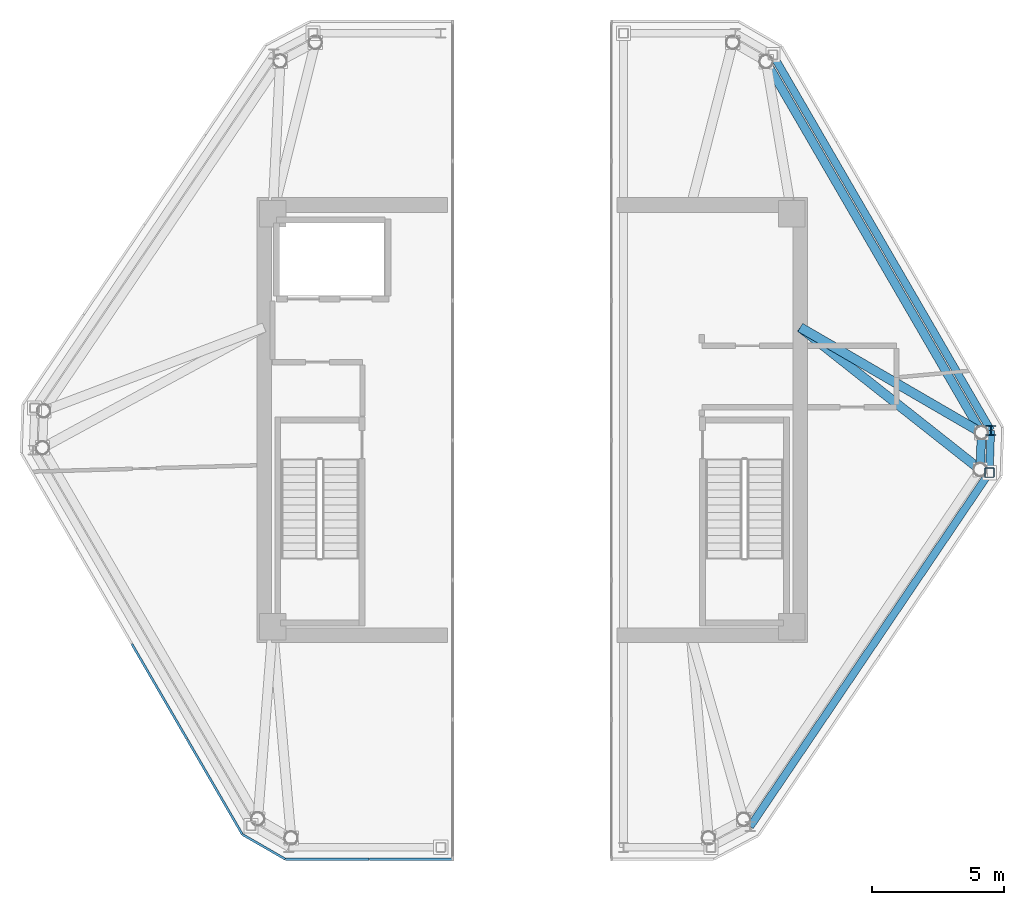
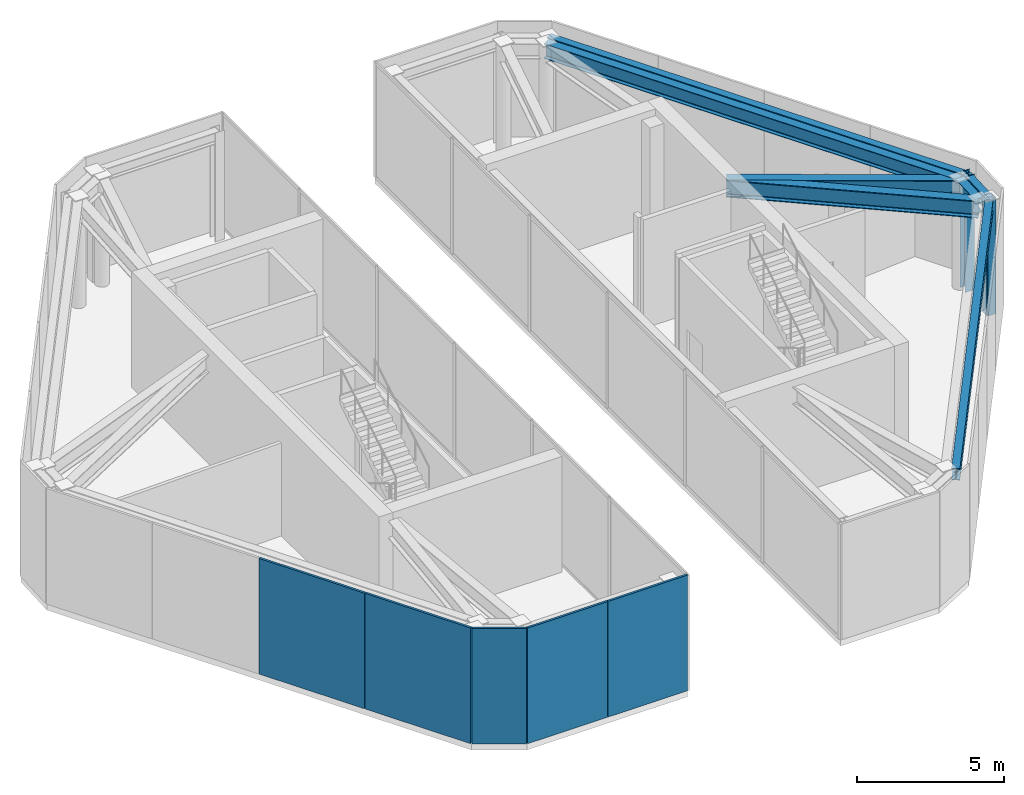
# One storey, part 5 of 8: 7 beams, 5 plates, 2 members.
"""IFC4 building model written with IfcOpenShell, lengths in metres."""

import ifcopenshell
import ifcopenshell.guid

model = None  # the IFC model being written
_history = None  # IfcOwnerHistory: only IFC2X3 demands one
_inside = {}  # id of a spatial element -> (the spatial element, [elements in it])
_under = {}  # id of a project, library or spatial element -> (it, [spatial elements below it])
_declared = {}  # id of a project -> (the project, [libraries it declares])
_typed = {}  # id of a type object -> (the type object, [elements of that type])
_made_of = {}  # id of a material, layer set ... -> (it, [elements and type objects made of it])


def new_model(schema):
    """Start an empty IFC model of exactly this schema.

    Asked for "IFC4X3", IfcOpenShell would pick the latest addendum, in which some entities
    have other attributes; the version numbers below select the first issue.
    IFC2X3 requires an IfcOwnerHistory on every rooted entity: one is made here for all.
    """
    global model, _history
    if schema == "IFC4X3":
        model = ifcopenshell.file(schema_version=(4, 3, 0, 0))
    else:
        model = ifcopenshell.file(schema=schema)
    _inside.clear()
    _under.clear()
    _declared.clear()
    _typed.clear()
    _made_of.clear()
    _history = None
    if model.schema == "IFC2X3":
        org = make("IfcOrganization", Name="unknown")
        user = make(
            "IfcPersonAndOrganization",
            ThePerson=make("IfcPerson", FamilyName="unknown"),
            TheOrganization=org,
        )
        app = make(
            "IfcApplication",
            ApplicationDeveloper=org,
            Version="unknown",
            ApplicationFullName="unknown",
            ApplicationIdentifier="unknown",
        )
        _history = make(
            "IfcOwnerHistory",
            OwningUser=user,
            OwningApplication=app,
            ChangeAction="ADDED",
            CreationDate=0,
        )
    return model


def make(cls, **values):
    """One entity of the class cls with the attributes given. An attribute that is None is left unset."""
    return model.create_entity(
        cls, **{name: value for name, value in values.items() if value is not None}
    )


def rooted(cls, **values):
    """An entity with a GlobalId (a new one), such as an element, a storey or a relation."""
    return make(cls, GlobalId=ifcopenshell.guid.new(), OwnerHistory=_history, **values)


def si_unit(unit_type, name, prefix=None):
    """IfcSIUnit, for example si_unit("LENGTHUNIT", "METRE", prefix="MILLI")."""
    return make("IfcSIUnit", UnitType=unit_type, Prefix=prefix, Name=name)


def assignment(units):
    """IfcUnitAssignment: the units of a project."""
    return None if units is None else make("IfcUnitAssignment", Units=units)


def point(xyz):
    """IfcCartesianPoint."""
    return None if xyz is None else make("IfcCartesianPoint", Coordinates=xyz)


def direction(xyz):
    """IfcDirection."""
    return None if xyz is None else make("IfcDirection", DirectionRatios=xyz)


def frame(location, z_axis=None, x_axis=None):
    """IfcAxis2Placement3D, a coordinate frame: its origin and axes. An axis left out is left unset."""
    return make(
        "IfcAxis2Placement3D",
        Location=point(location),
        Axis=direction(z_axis),
        RefDirection=direction(x_axis),
    )


def frame_2d(location, x_axis=None):
    """IfcAxis2Placement2D, a coordinate frame in the plane: its origin and x axis."""
    return make(
        "IfcAxis2Placement2D", Location=point(location), RefDirection=direction(x_axis)
    )


def origin():
    """The frame at (0, 0, 0) with its axes left unset."""
    return frame((0.0, 0.0, 0.0))


def origin_2d():
    """The frame at (0, 0) in the plane with its x axis left unset."""
    return frame_2d((0.0, 0.0))


def place(relative_to, where):
    """IfcLocalPlacement: puts the frame where relative to a parent placement (None: the world)."""
    return make(
        "IfcLocalPlacement", PlacementRelTo=relative_to, RelativePlacement=where
    )


def context(
    kind, dimensions, precision=None, world=None, true_north=None, identifier=None
):
    """IfcGeometricRepresentationContext, for example the 3D "Model" context."""
    return make(
        "IfcGeometricRepresentationContext",
        ContextIdentifier=identifier,
        ContextType=kind,
        CoordinateSpaceDimension=dimensions,
        Precision=precision,
        WorldCoordinateSystem=world,
        TrueNorth=true_north,
    )


def subcontext(parent, identifier, kind, view, scale=None):
    """IfcGeometricRepresentationSubContext, for example "Body" below "Model"."""
    return make(
        "IfcGeometricRepresentationSubContext",
        ContextIdentifier=identifier,
        ContextType=kind,
        ParentContext=parent,
        TargetScale=scale,
        TargetView=view,
    )


def project(units=None, contexts=None):
    """IfcProject with its units and contexts."""
    return rooted(
        "IfcProject",
        Name="project",
        RepresentationContexts=contexts,
        UnitsInContext=assignment(units),
    )


def spatial(cls, under=None, at=None, **own):
    """A site, building, storey or space (cls), placed at a placement, below another one or the project."""
    s = rooted(cls, ObjectPlacement=at, **own)
    if under is not None:
        _under.setdefault(under.id(), (under, []))[1].append(s)
    return s


def profile(cls, at=None, kind="AREA", **sizes):
    """A parametric profile (cls). Its sizes go by their IFC names, for example OverallWidth=200.0."""
    return make(cls, ProfileType=kind, Position=at, **sizes)


def rectangle(**sizes):
    """IfcRectangleProfileDef."""
    return profile("IfcRectangleProfileDef", **sizes)


def hollow_rectangle(**sizes):
    """IfcRectangleHollowProfileDef."""
    return profile("IfcRectangleHollowProfileDef", **sizes)


def i_section(**sizes):
    """IfcIShapeProfileDef."""
    return profile("IfcIShapeProfileDef", **sizes)


def extrude(swept, where, along, depth):
    """IfcExtrudedAreaSolid: the profile swept, set in the frame where, extruded along a direction by depth."""
    return make(
        "IfcExtrudedAreaSolid",
        SweptArea=swept,
        Position=where,
        ExtrudedDirection=direction(along),
        Depth=depth,
    )


def shape(context_of_items, identifier, shape_type, items):
    """IfcShapeRepresentation: the items that make up one representation, for example the "Body"."""
    return make(
        "IfcShapeRepresentation",
        ContextOfItems=context_of_items,
        RepresentationIdentifier=identifier,
        RepresentationType=shape_type,
        Items=items,
    )


def source(mapping_origin, context_of_items, identifier, shape_type, items):
    """IfcRepresentationMap: a shape defined once, which mapped items show again and again."""
    return make(
        "IfcRepresentationMap",
        MappingOrigin=mapping_origin,
        MappedRepresentation=shape(context_of_items, identifier, shape_type, items),
    )


def transform(
    local_origin,
    x_axis=None,
    y_axis=None,
    z_axis=None,
    scale=None,
    scale2=None,
    scale3=None,
    uniform=True,
):
    """IfcCartesianTransformationOperator3D, or its non-uniform kind. x_axis, y_axis, z_axis: its Axis1, 2, 3."""
    if uniform:
        return make(
            "IfcCartesianTransformationOperator3D",
            Axis1=direction(x_axis),
            Axis2=direction(y_axis),
            LocalOrigin=point(local_origin),
            Scale=scale,
            Axis3=direction(z_axis),
        )
    return make(
        "IfcCartesianTransformationOperator3DnonUniform",
        Axis1=direction(x_axis),
        Axis2=direction(y_axis),
        LocalOrigin=point(local_origin),
        Scale=scale,
        Axis3=direction(z_axis),
        Scale2=scale2,
        Scale3=scale3,
    )


def mapped(mapping_source, mapping_target):
    """IfcMappedItem: shows the shape of a source again, moved by a transform."""
    return make(
        "IfcMappedItem", MappingSource=mapping_source, MappingTarget=mapping_target
    )


def material(Name=None, Category=None):
    """IfcMaterial."""
    return make("IfcMaterial", Name=Name, Category=Category)


def layer(
    of_material, thickness, ventilated=None, Name=None, Category=None, Priority=None
):
    """IfcMaterialLayer: one layer of a wall or slab, of a material (None: an air gap)."""
    return make(
        "IfcMaterialLayer",
        Material=of_material,
        LayerThickness=thickness,
        IsVentilated=ventilated,
        Name=Name,
        Category=Category,
        Priority=Priority,
    )


def layer_set(layers, Name=None):
    """IfcMaterialLayerSet."""
    return make("IfcMaterialLayerSet", MaterialLayers=layers, LayerSetName=Name)


def material_profile(
    of_material, cross_section, Name=None, Category=None, Priority=None
):
    """IfcMaterialProfile: a cross section and its material."""
    return make(
        "IfcMaterialProfile",
        Name=Name,
        Material=of_material,
        Profile=cross_section,
        Priority=Priority,
        Category=Category,
    )


def profile_set(profiles, Name=None, composite=None):
    """IfcMaterialProfileSet."""
    return make(
        "IfcMaterialProfileSet",
        Name=Name,
        MaterialProfiles=profiles,
        CompositeProfile=composite,
    )


def made_of(thing, what):
    """Note that an element or type object is made of a material, layer set ...; save() writes the relation."""
    if what is not None:
        _made_of.setdefault(what.id(), (what, []))[1].append(thing)
    return thing


def type_object(cls, material=None, **own):
    """A type object (cls), such as IfcWallType, which elements share."""
    return made_of(rooted(cls, **own), material)


def type_shapes(of_type, sources):
    """Give a type object the sources (RepresentationMaps) that its elements show as mapped items."""
    of_type.RepresentationMaps = sources


def element(
    cls,
    number,
    at=None,
    inside=None,
    cuts=None,
    type_object=None,
    material=None,
    context=None,
    identifier="Body",
    shape_type=None,
    held_by="IfcProductDefinitionShape",
    body=None,
    shapes=None,
    **own,
):
    """One element of the class cls, such as IfcWall. Its Tag is "e" and its number.

    at: its placement. inside: the storey or other place that contains it. cuts: it is an
    opening in that element (IfcRelVoidsElement). A single representation is given by context,
    identifier, shape_type and body (its items); several are given by shapes. held_by: the class
    of the entity that holds the representations. save() writes the other relations.
    """
    e = rooted(cls, Tag="e%d" % number, ObjectPlacement=at, **own)
    if body is not None:
        shapes = [shape(context, identifier, shape_type, body)]
    if shapes is not None:
        e.Representation = make(held_by, Representations=shapes)
    if inside is not None:
        _inside.setdefault(inside.id(), (inside, []))[1].append(e)
    if cuts is not None:
        rooted(
            "IfcRelVoidsElement", RelatingBuildingElement=cuts, RelatedOpeningElement=e
        )
    if type_object is not None:
        _typed.setdefault(type_object.id(), (type_object, []))[1].append(e)
    return made_of(e, material)


def aggregate(whole, parts):
    """IfcRelAggregates: a whole, such as a stair, and the parts it consists of."""
    return rooted("IfcRelAggregates", RelatingObject=whole, RelatedObjects=parts)


def save(model, path):
    """Write the relations noted so far, then the file.

    IfcRelAggregates (storeys below a building ...), IfcRelContainedInSpatialStructure (elements
    in a storey), IfcRelDefinesByType, IfcRelAssociatesMaterial and IfcRelDeclares: one each for
    every whole, place, type object, material and project.
    """
    for whole, parts in _under.values():
        aggregate(whole, parts)
    for where, things in _inside.values():
        rooted(
            "IfcRelContainedInSpatialStructure",
            RelatedElements=things,
            RelatingStructure=where,
        )
    for kind, things in _typed.values():
        rooted("IfcRelDefinesByType", RelatedObjects=things, RelatingType=kind)
    for what, things in _made_of.values():
        rooted("IfcRelAssociatesMaterial", RelatedObjects=things, RelatingMaterial=what)
    for by, libraries in _declared.values():
        rooted("IfcRelDeclares", RelatingContext=by, RelatedDefinitions=libraries)
    model.write(path)


model = new_model("IFC4")

# Units and contexts
model_context = context("Model", 3, precision=1e-05, world=origin(), true_north=direction((0.0, 1.0)))
body_context = subcontext(model_context, "Body", "Model", "MODEL_VIEW")
ifc_project = project(units=[si_unit("LENGTHUNIT", "METRE"), si_unit("AREAUNIT", "SQUARE_METRE"), si_unit("VOLUMEUNIT", "CUBIC_METRE"), si_unit("PLANEANGLEUNIT", "RADIAN"), si_unit("MASSUNIT", "GRAM", prefix="KILO")], contexts=[model_context])

# Site, building, storey
site_placement = place(None, origin())
site = spatial("IfcSite", under=ifc_project, at=site_placement, CompositionType="ELEMENT")
building_placement = place(site_placement, origin())
building = spatial("IfcBuilding", under=site, at=building_placement, Name="Durnholm Broadcast Tower", CompositionType="ELEMENT")
storey_placement = place(building_placement, frame((0.0, 0.0, 277.300048828125)))
storey = spatial("IfcBuildingStorey", under=building, at=storey_placement, Name="L77", CompositionType="ELEMENT", Elevation=277.300048828125)

# Beams
ifc_material_1 = material(Name="Steel ASTM A992 Grade 50", Category="steel")
ifc_material_profile_1 = material_profile(ifc_material_1, i_section(OverallWidth=0.3251953125, OverallDepth=0.6162109375, WebThickness=0.013916015625, FlangeThickness=0.021484375, FilletRadius=0.02783203125, at=origin_2d()), Name="W24X117")
ifc_profile_set_1 = profile_set([ifc_material_profile_1], Name="Steel ASTM A992 Grade 50")
beam_type_1 = type_object("IfcBeamType", Name="STL-SP-W24X117", PredefinedType="SPANDREL", material=ifc_profile_set_1)
shared_shape_1 = source(origin(), body_context, "Body", "SweptSolid", [
    extrude(i_section(OverallWidth=0.3251953125, OverallDepth=0.6162109375, WebThickness=0.013916015625, FlangeThickness=0.021484375, FilletRadius=0.02783203125, at=origin_2d()), origin(), (0.0, 0.0, 1.0), 1.39453125),
])
beam_1_placement = place(storey_placement, frame((16.97021484375, -0.47607421875, 4.19677734375), z_axis=(-0.034311541846, -0.999411185697, 0.0), x_axis=(0.999411185697, -0.034311541846, 0.0)))
element("IfcBeam", 1, at=beam_1_placement, inside=storey, type_object=beam_type_1, Name="L77 perimeter spandrel girder 08", PredefinedType="SPANDREL", context=body_context, shape_type="MappedRepresentation", body=[
    mapped(shared_shape_1, transform((0.0, 0.0, 0.0), x_axis=(1.0, 0.0, 0.0), y_axis=(0.0, 1.0, 0.0), z_axis=(0.0, 0.0, 1.0), scale=1.0)),
])
shared_shape_2 = source(origin(), body_context, "Body", "SweptSolid", [
    extrude(i_section(OverallWidth=0.3251953125, OverallDepth=0.6162109375, WebThickness=0.013916015625, FlangeThickness=0.021484375, FilletRadius=0.02783203125, at=origin_2d()), origin(), (0.0, 0.0, 1.0), 16.20263671875),
])
type_shapes(beam_type_1, [shared_shape_1, shared_shape_2])
beam_2_placement = place(storey_placement, frame((8.83740234375, 13.53759765625, 4.19677734375), z_axis=(0.501943573333, -0.864900369516, 0.0), x_axis=(0.864900369516, 0.501943573333, 0.0)))
element("IfcBeam", 2, at=beam_2_placement, inside=storey, type_object=beam_type_1, Name="L77 perimeter spandrel girder 07", PredefinedType="SPANDREL", context=body_context, shape_type="MappedRepresentation", body=[
    mapped(shared_shape_2, transform((0.0, 0.0, 0.0), x_axis=(1.0, 0.0, 0.0), y_axis=(0.0, 1.0, 0.0), z_axis=(0.0, 0.0, 1.0), scale=1.0)),
])
ifc_material_profile_2 = material_profile(ifc_material_1, i_section(OverallWidth=0.3564453125, OverallDepth=0.713623046875, WebThickness=0.01904296875, FlangeThickness=0.033935546875, FilletRadius=0.030517578125, at=origin_2d()), Name="W27X194")
ifc_profile_set_2 = profile_set([ifc_material_profile_2], Name="Steel ASTM A992 Grade 50")
beam_type_2 = type_object("IfcBeamType", Name="STL-GR-W27X194", PredefinedType="USERDEFINED", material=ifc_profile_set_2)
shared_shape_3 = source(origin(), body_context, "Body", "SweptSolid", [
    extrude(i_section(OverallWidth=0.3564453125, OverallDepth=0.713623046875, WebThickness=0.01904296875, FlangeThickness=0.033935546875, FilletRadius=0.030517578125, at=origin_2d()), origin(), (0.0, 0.0, 1.0), 7.916259765625),
])
beam_3_placement = place(storey_placement, frame((10.125, 3.5, 4.14794921875), z_axis=(0.864710310336, -0.502270922111, 0.0), x_axis=(0.502270922111, 0.864710310336, 0.0)))
element("IfcBeam", 3, at=beam_3_placement, inside=storey, type_object=beam_type_2, Name="L77 radial primary floor girder 08", ObjectType="GIRDER", PredefinedType="USERDEFINED", context=body_context, shape_type="MappedRepresentation", body=[
    mapped(shared_shape_3, transform((0.0, 0.0, 0.0), x_axis=(1.0, 0.0, 0.0), y_axis=(0.0, 1.0, 0.0), z_axis=(0.0, 0.0, 1.0), scale=1.0)),
])
shared_shape_4 = source(origin(), body_context, "Body", "SweptSolid", [
    extrude(i_section(OverallWidth=0.3564453125, OverallDepth=0.713623046875, WebThickness=0.01904296875, FlangeThickness=0.033935546875, FilletRadius=0.030517578125, at=origin_2d()), origin(), (0.0, 0.0, 1.0), 8.66259765625),
])
type_shapes(beam_type_2, [shared_shape_3, shared_shape_4])
beam_4_placement = place(storey_placement, frame((10.125, 3.5, 4.14794921875), z_axis=(0.784684334797, -0.619895551464, 0.0), x_axis=(0.619895551464, 0.784684334797, 0.0)))
element("IfcBeam", 4, at=beam_4_placement, inside=storey, type_object=beam_type_2, Name="L77 radial primary floor girder 09", ObjectType="GIRDER", PredefinedType="USERDEFINED", context=body_context, shape_type="MappedRepresentation", body=[
    mapped(shared_shape_4, transform((0.0, 0.0, 0.0), x_axis=(1.0, 0.0, 0.0), y_axis=(0.0, 1.0, 0.0), z_axis=(0.0, 0.0, 1.0), scale=1.0)),
])
ifc_material_profile_3 = material_profile(ifc_material_1, i_section(OverallWidth=0.2861328125, OverallDepth=0.481689453125, WebThickness=0.0166015625, FlangeThickness=0.02685546875, FilletRadius=0.02294921875, at=origin_2d()), Name="W18X119")
ifc_profile_set_3 = profile_set([ifc_material_profile_3], Name="Steel ASTM A992 Grade 50")
beam_type_3 = type_object("IfcBeamType", Name="STL-BM-W18X119", PredefinedType="BEAM", material=ifc_profile_set_3)
shared_shape_5 = source(origin(), body_context, "Body", "SweptSolid", [
    extrude(i_section(OverallWidth=0.2861328125, OverallDepth=0.481689453125, WebThickness=0.0166015625, FlangeThickness=0.02685546875, FilletRadius=0.02294921875, at=origin_2d()), origin(), (0.0, 0.0, 1.0), 1.595947265625),
])
beam_5_placement = place(storey_placement, frame((17.268798828125, -1.982421875, 4.26416015625), z_axis=(0.034267326711, 0.999412702701, 0.0), x_axis=(-0.999412702701, 0.034267326711, 0.0)))
element("IfcBeam", 5, at=beam_5_placement, inside=storey, type_object=beam_type_3, Name="L77 E split-crown frame ring beam 5", PredefinedType="SPANDREL", context=body_context, shape_type="MappedRepresentation", body=[
    mapped(shared_shape_5, transform((0.0, 0.0, 0.0), x_axis=(1.0, 0.0, 0.0), y_axis=(0.0, 1.0, 0.0), z_axis=(0.0, 0.0, 1.0), scale=1.0)),
])
shared_shape_6 = source(origin(), body_context, "Body", "SweptSolid", [
    extrude(i_section(OverallWidth=0.2861328125, OverallDepth=0.481689453125, WebThickness=0.0166015625, FlangeThickness=0.02685546875, FilletRadius=0.02294921875, at=origin_2d()), origin(), (0.0, 0.0, 1.0), 16.13525390625),
])
beam_6_placement = place(storey_placement, frame((8.23193359375, -15.349609375, 4.26416015625), z_axis=(0.560069369395, 0.828445714254, 0.0), x_axis=(-0.828445714254, 0.560069369395, 0.0)))
element("IfcBeam", 6, at=beam_6_placement, inside=storey, type_object=beam_type_3, Name="L77 E split-crown frame ring beam 4", PredefinedType="SPANDREL", context=body_context, shape_type="MappedRepresentation", body=[
    mapped(shared_shape_6, transform((0.0, 0.0, 0.0), x_axis=(1.0, 0.0, 0.0), y_axis=(0.0, 1.0, 0.0), z_axis=(0.0, 0.0, 1.0), scale=1.0)),
])
shared_shape_7 = source(origin(), body_context, "Body", "SweptSolid", [
    extrude(i_section(OverallWidth=0.2861328125, OverallDepth=0.481689453125, WebThickness=0.0166015625, FlangeThickness=0.02685546875, FilletRadius=0.02294921875, at=origin_2d()), origin(), (0.0, 0.0, 1.0), 16.396728515625),
])
type_shapes(beam_type_3, [shared_shape_5, shared_shape_6, shared_shape_7])
beam_7_placement = place(storey_placement, frame((17.323486328125, -0.387451171875, 4.26416015625), z_axis=(-0.501940457755, 0.86490217763, 0.0), x_axis=(-0.86490217763, -0.501940457755, 0.0)))
element("IfcBeam", 7, at=beam_7_placement, inside=storey, type_object=beam_type_3, Name="L77 E split-crown frame ring beam 6", PredefinedType="SPANDREL", context=body_context, shape_type="MappedRepresentation", body=[
    mapped(shared_shape_7, transform((0.0, 0.0, 0.0), x_axis=(1.0, 0.0, 0.0), y_axis=(0.0, 1.0, 0.0), z_axis=(0.0, 0.0, 1.0), scale=1.0)),
])

# Members
ifc_material_2 = material(Name="Steel ASTM A500 Grade C", Category="steel")
ifc_material_profile_4 = material_profile(ifc_material_2, hollow_rectangle(XDim=0.355712890625, YDim=0.355712890625, WallThickness=0.01171875, InnerFilletRadius=0.017578125, OuterFilletRadius=0.029541015625, at=origin_2d()), Name="HSS14X14X1/2")
ifc_profile_set_4 = profile_set([ifc_material_profile_4], Name="Steel ASTM A500 Grade C")
member_type_1 = type_object("IfcMemberType", Name="STL-CF-HSS14X14", PredefinedType="USERDEFINED", material=ifc_profile_set_4)
shared_shape_8 = source(origin(), body_context, "Body", "SweptSolid", [
    extrude(hollow_rectangle(XDim=0.355712890625, YDim=0.355712890625, WallThickness=0.01171875, InnerFilletRadius=0.017578125, OuterFilletRadius=0.029541015625, at=origin_2d()), origin(), (0.0, 0.0, 1.0), 4.800048828125),
])
type_shapes(member_type_1, [shared_shape_8])
member_1_placement = place(storey_placement, frame((17.268798828125, -1.982421875, -0.280029296875), z_axis=(0.0, 0.0, 1.0), x_axis=(1.0, 0.0, 0.0)))
element("IfcMember", 8, at=member_1_placement, inside=storey, type_object=member_type_1, Name="L77 E split-crown frame post 5", ObjectType="CROWN FRAME", PredefinedType="USERDEFINED", context=body_context, shape_type="MappedRepresentation", body=[
    mapped(shared_shape_8, transform((0.0, 0.0, 0.0), x_axis=(1.0, 0.0, 0.0), y_axis=(0.0, 1.0, 0.0), z_axis=(0.0, 0.0, 1.0), scale=1.0)),
])
ifc_material_profile_5 = material_profile(ifc_material_1, i_section(OverallWidth=0.368896484375, OverallDepth=0.356201171875, WebThickness=0.01123046875, FlangeThickness=0.01806640625, FilletRadius=0.030517578125, at=origin_2d()), Name="W14X90")
ifc_profile_set_5 = profile_set([ifc_material_profile_5], Name="Steel ASTM A992 Grade 50")
member_type_2 = type_object("IfcMemberType", Name="STL-CF-W14X90", PredefinedType="USERDEFINED", material=ifc_profile_set_5)
shared_shape_9 = source(origin(), body_context, "Body", "SweptSolid", [
    extrude(i_section(OverallWidth=0.368896484375, OverallDepth=0.356201171875, WebThickness=0.01123046875, FlangeThickness=0.01806640625, FilletRadius=0.030517578125, at=origin_2d()), origin(), (0.0, 0.0, 1.0), 4.800048828125),
])
type_shapes(member_type_2, [shared_shape_9])
member_2_placement = place(storey_placement, frame((17.323486328125, -0.387451171875, -0.280029296875), z_axis=(0.0, 0.0, 1.0), x_axis=(1.0, 0.0, 0.0)))
element("IfcMember", 9, at=member_2_placement, inside=storey, type_object=member_type_2, Name="L77 E split-crown frame post 6", ObjectType="CROWN FRAME", PredefinedType="USERDEFINED", context=body_context, shape_type="MappedRepresentation", body=[
    mapped(shared_shape_9, transform((0.0, 0.0, 0.0), x_axis=(1.0, 0.0, 0.0), y_axis=(0.0, 1.0, 0.0), z_axis=(0.0, 0.0, 1.0), scale=1.0)),
])

# Plates
ifc_material_3 = material(Name="Anodised Architectural Aluminium Louvre Screen", Category="aluminium")
ifc_layer = layer(ifc_material_3, 0.0849609375)
ifc_layer_set = layer_set([ifc_layer], Name="Anodised Architectural Aluminium Louvre Screen")
plate_type = type_object("IfcPlateType", Name="PLT-CROWN-SCR", PredefinedType="USERDEFINED", material=ifc_layer_set)
shared_shape_10 = source(origin(), body_context, "Body", "SweptSolid", [
    extrude(rectangle(XDim=3.138916015625, YDim=0.0849609375, at=origin_2d()), origin(), (0.0, 0.0, 1.0), 4.800048828125),
])
for number, where, z_axis, x_axis, name in (
    (10, (-4.579345703125, -16.5859375, 0.0), (0.0, 0.0, 1.0), (-1.0, 0.0, 0.0), "L77 mechanical louvre screen panel SCR-L77-W-6.1"),
    (11, (-7.73828125, -16.5859375, 0.0), (0.0, 0.0, 1.0), (-1.0, 0.0, 0.0), "L77 mechanical louvre screen panel SCR-L77-W-6.2"),
):
    element("IfcPlate", number, at=place(storey_placement, frame(where, z_axis=z_axis, x_axis=x_axis)), inside=storey, type_object=plate_type, Name=name, ObjectType="SCREEN", PredefinedType="USERDEFINED", context=body_context, shape_type="MappedRepresentation", body=[
        mapped(shared_shape_10, transform((0.0, 0.0, 0.0), x_axis=(1.0, 0.0, 0.0), y_axis=(0.0, 1.0, 0.0), z_axis=(0.0, 0.0, 1.0), scale=1.0)),
    ])
shared_shape_11 = source(origin(), body_context, "Body", "SweptSolid", [
    extrude(rectangle(XDim=1.859130859375, YDim=0.0849609375, at=origin_2d()), origin(), (0.0, 0.0, 1.0), 4.800048828125),
])
plate_placement = place(storey_placement, frame((-10.1318359375, -16.1171875, 0.0), z_axis=(0.0, 0.0, 1.0), x_axis=(-0.866548527613, 0.499092826328, 0.0)))
element("IfcPlate", 12, at=plate_placement, inside=storey, type_object=plate_type, Name="L77 mechanical louvre screen panel SCR-L77-W-7.1", ObjectType="SCREEN", PredefinedType="USERDEFINED", context=body_context, shape_type="MappedRepresentation", body=[
    mapped(shared_shape_11, transform((0.0, 0.0, 0.0), x_axis=(1.0, 0.0, 0.0), y_axis=(0.0, 1.0, 0.0), z_axis=(0.0, 0.0, 1.0), scale=1.0)),
])
shared_shape_12 = source(origin(), body_context, "Body", "SweptSolid", [
    extrude(rectangle(XDim=4.1416015625, YDim=0.0849609375, at=origin_2d()), origin(), (0.0, 0.0, 1.0), 4.800048828125),
])
type_shapes(plate_type, [shared_shape_10, shared_shape_11, shared_shape_12])
for number, where, z_axis, x_axis, name in (
    (13, (-11.990478515625, -13.848388671875, 0.0), (0.0, 0.0, 1.0), (-0.501963660617, 0.864888711581, 0.0), "L77 mechanical louvre screen panel SCR-L77-W-8.1"),
    (14, (-14.079345703125, -10.2490234375, 0.0), (0.0, 0.0, 1.0), (-0.501963660617, 0.864888711581, 0.0), "L77 mechanical louvre screen panel SCR-L77-W-8.2"),
):
    element("IfcPlate", number, at=place(storey_placement, frame(where, z_axis=z_axis, x_axis=x_axis)), inside=storey, type_object=plate_type, Name=name, ObjectType="SCREEN", PredefinedType="USERDEFINED", context=body_context, shape_type="MappedRepresentation", body=[
        mapped(shared_shape_12, transform((0.0, 0.0, 0.0), x_axis=(1.0, 0.0, 0.0), y_axis=(0.0, 1.0, 0.0), z_axis=(0.0, 0.0, 1.0), scale=1.0)),
    ])

save(model, "model.ifc")
